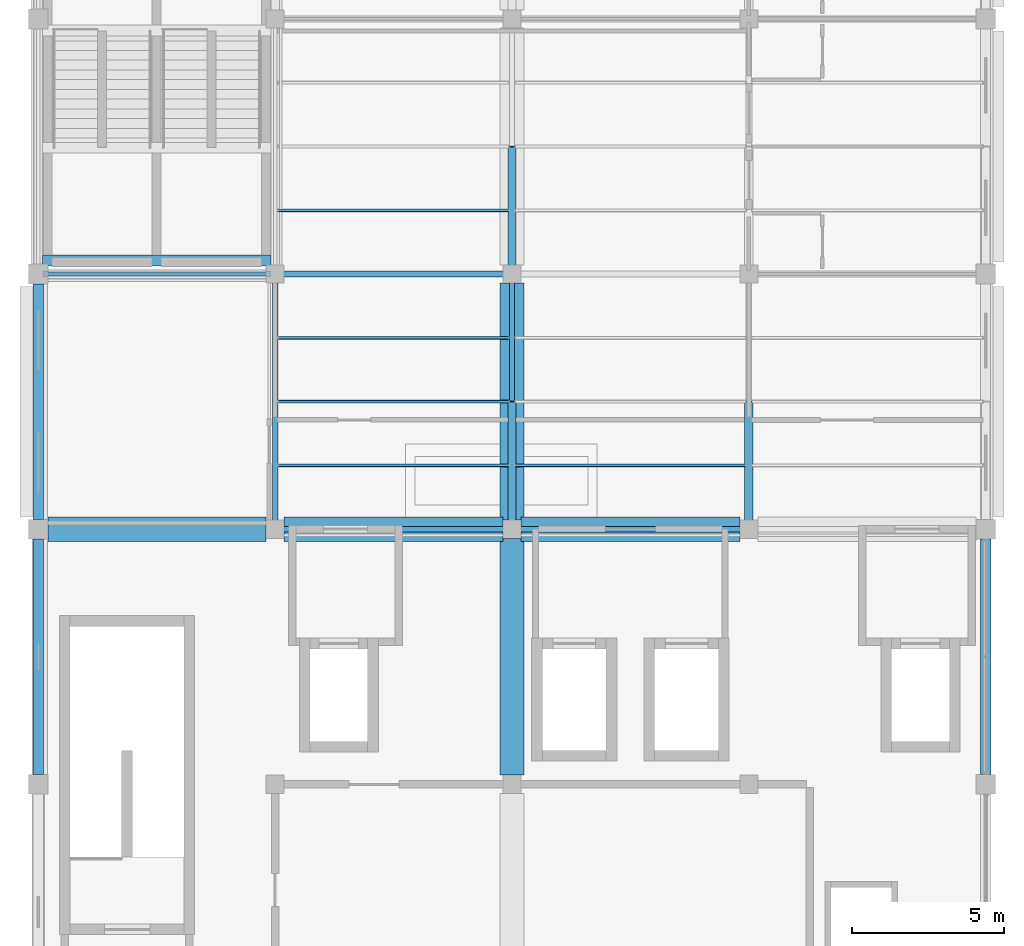
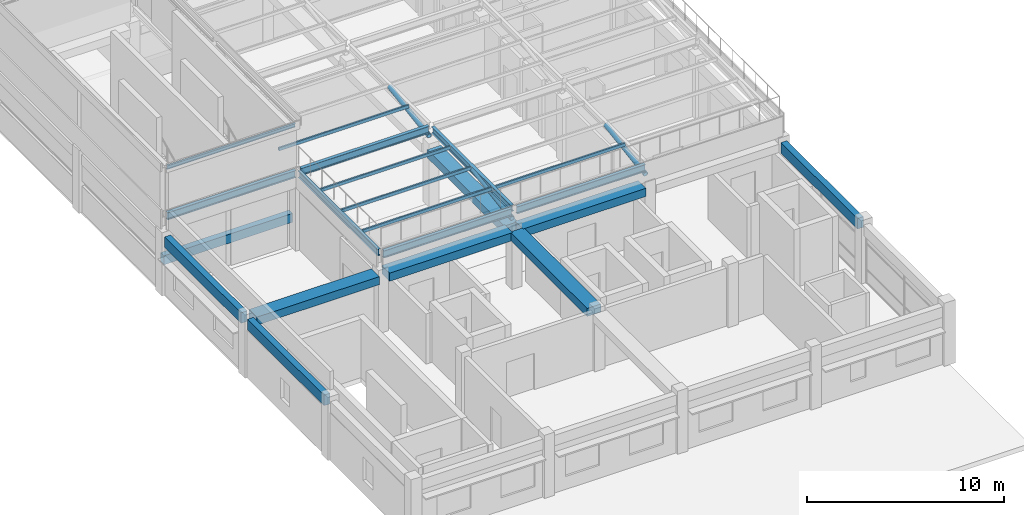
# One storey, part 2 of 20: 16 beams, 8 members.
"""IFC4 building model written with IfcOpenShell, lengths in metres."""

import ifcopenshell
import ifcopenshell.guid

model = None  # the IFC model being written
_history = None  # IfcOwnerHistory: only IFC2X3 demands one
_inside = {}  # id of a spatial element -> (the spatial element, [elements in it])
_under = {}  # id of a project, library or spatial element -> (it, [spatial elements below it])
_declared = {}  # id of a project -> (the project, [libraries it declares])
_typed = {}  # id of a type object -> (the type object, [elements of that type])
_made_of = {}  # id of a material, layer set ... -> (it, [elements and type objects made of it])


def new_model(schema):
    """Start an empty IFC model of exactly this schema.

    Asked for "IFC4X3", IfcOpenShell would pick the latest addendum, in which some entities
    have other attributes; the version numbers below select the first issue.
    IFC2X3 requires an IfcOwnerHistory on every rooted entity: one is made here for all.
    """
    global model, _history
    if schema == "IFC4X3":
        model = ifcopenshell.file(schema_version=(4, 3, 0, 0))
    else:
        model = ifcopenshell.file(schema=schema)
    _inside.clear()
    _under.clear()
    _declared.clear()
    _typed.clear()
    _made_of.clear()
    _history = None
    if model.schema == "IFC2X3":
        org = make("IfcOrganization", Name="unknown")
        user = make(
            "IfcPersonAndOrganization",
            ThePerson=make("IfcPerson", FamilyName="unknown"),
            TheOrganization=org,
        )
        app = make(
            "IfcApplication",
            ApplicationDeveloper=org,
            Version="unknown",
            ApplicationFullName="unknown",
            ApplicationIdentifier="unknown",
        )
        _history = make(
            "IfcOwnerHistory",
            OwningUser=user,
            OwningApplication=app,
            ChangeAction="ADDED",
            CreationDate=0,
        )
    return model


def make(cls, **values):
    """One entity of the class cls with the attributes given. An attribute that is None is left unset."""
    return model.create_entity(
        cls, **{name: value for name, value in values.items() if value is not None}
    )


def rooted(cls, **values):
    """An entity with a GlobalId (a new one), such as an element, a storey or a relation."""
    return make(cls, GlobalId=ifcopenshell.guid.new(), OwnerHistory=_history, **values)


def si_unit(unit_type, name, prefix=None):
    """IfcSIUnit, for example si_unit("LENGTHUNIT", "METRE", prefix="MILLI")."""
    return make("IfcSIUnit", UnitType=unit_type, Prefix=prefix, Name=name)


def assignment(units):
    """IfcUnitAssignment: the units of a project."""
    return None if units is None else make("IfcUnitAssignment", Units=units)


def point(xyz):
    """IfcCartesianPoint."""
    return None if xyz is None else make("IfcCartesianPoint", Coordinates=xyz)


def direction(xyz):
    """IfcDirection."""
    return None if xyz is None else make("IfcDirection", DirectionRatios=xyz)


def frame(location, z_axis=None, x_axis=None):
    """IfcAxis2Placement3D, a coordinate frame: its origin and axes. An axis left out is left unset."""
    return make(
        "IfcAxis2Placement3D",
        Location=point(location),
        Axis=direction(z_axis),
        RefDirection=direction(x_axis),
    )


def frame_2d(location, x_axis=None):
    """IfcAxis2Placement2D, a coordinate frame in the plane: its origin and x axis."""
    return make(
        "IfcAxis2Placement2D", Location=point(location), RefDirection=direction(x_axis)
    )


def origin():
    """The frame at (0, 0, 0) with its axes left unset."""
    return frame((0.0, 0.0, 0.0))


def origin_2d():
    """The frame at (0, 0) in the plane with its x axis left unset."""
    return frame_2d((0.0, 0.0))


def place(relative_to, where):
    """IfcLocalPlacement: puts the frame where relative to a parent placement (None: the world)."""
    return make(
        "IfcLocalPlacement", PlacementRelTo=relative_to, RelativePlacement=where
    )


def context(
    kind, dimensions, precision=None, world=None, true_north=None, identifier=None
):
    """IfcGeometricRepresentationContext, for example the 3D "Model" context."""
    return make(
        "IfcGeometricRepresentationContext",
        ContextIdentifier=identifier,
        ContextType=kind,
        CoordinateSpaceDimension=dimensions,
        Precision=precision,
        WorldCoordinateSystem=world,
        TrueNorth=true_north,
    )


def subcontext(parent, identifier, kind, view, scale=None):
    """IfcGeometricRepresentationSubContext, for example "Body" below "Model"."""
    return make(
        "IfcGeometricRepresentationSubContext",
        ContextIdentifier=identifier,
        ContextType=kind,
        ParentContext=parent,
        TargetScale=scale,
        TargetView=view,
    )


def project(units=None, contexts=None):
    """IfcProject with its units and contexts."""
    return rooted(
        "IfcProject",
        Name="project",
        RepresentationContexts=contexts,
        UnitsInContext=assignment(units),
    )


def spatial(cls, under=None, at=None, **own):
    """A site, building, storey or space (cls), placed at a placement, below another one or the project."""
    s = rooted(cls, ObjectPlacement=at, **own)
    if under is not None:
        _under.setdefault(under.id(), (under, []))[1].append(s)
    return s


def profile(cls, at=None, kind="AREA", **sizes):
    """A parametric profile (cls). Its sizes go by their IFC names, for example OverallWidth=200.0."""
    return make(cls, ProfileType=kind, Position=at, **sizes)


def rectangle(**sizes):
    """IfcRectangleProfileDef."""
    return profile("IfcRectangleProfileDef", **sizes)


def hollow_rectangle(**sizes):
    """IfcRectangleHollowProfileDef."""
    return profile("IfcRectangleHollowProfileDef", **sizes)


def hollow_circle(**sizes):
    """IfcCircleHollowProfileDef."""
    return profile("IfcCircleHollowProfileDef", **sizes)


def i_section(**sizes):
    """IfcIShapeProfileDef."""
    return profile("IfcIShapeProfileDef", **sizes)


def extrude(swept, where, along, depth):
    """IfcExtrudedAreaSolid: the profile swept, set in the frame where, extruded along a direction by depth."""
    return make(
        "IfcExtrudedAreaSolid",
        SweptArea=swept,
        Position=where,
        ExtrudedDirection=direction(along),
        Depth=depth,
    )


def shape(context_of_items, identifier, shape_type, items):
    """IfcShapeRepresentation: the items that make up one representation, for example the "Body"."""
    return make(
        "IfcShapeRepresentation",
        ContextOfItems=context_of_items,
        RepresentationIdentifier=identifier,
        RepresentationType=shape_type,
        Items=items,
    )


def material(Name=None, Category=None):
    """IfcMaterial."""
    return make("IfcMaterial", Name=Name, Category=Category)


def material_profile(
    of_material, cross_section, Name=None, Category=None, Priority=None
):
    """IfcMaterialProfile: a cross section and its material."""
    return make(
        "IfcMaterialProfile",
        Name=Name,
        Material=of_material,
        Profile=cross_section,
        Priority=Priority,
        Category=Category,
    )


def profile_set(profiles, Name=None, composite=None):
    """IfcMaterialProfileSet."""
    return make(
        "IfcMaterialProfileSet",
        Name=Name,
        MaterialProfiles=profiles,
        CompositeProfile=composite,
    )


def made_of(thing, what):
    """Note that an element or type object is made of a material, layer set ...; save() writes the relation."""
    if what is not None:
        _made_of.setdefault(what.id(), (what, []))[1].append(thing)
    return thing


def type_object(cls, material=None, **own):
    """A type object (cls), such as IfcWallType, which elements share."""
    return made_of(rooted(cls, **own), material)


def element(
    cls,
    number,
    at=None,
    inside=None,
    cuts=None,
    type_object=None,
    material=None,
    context=None,
    identifier="Body",
    shape_type=None,
    held_by="IfcProductDefinitionShape",
    body=None,
    shapes=None,
    **own,
):
    """One element of the class cls, such as IfcWall. Its Tag is "e" and its number.

    at: its placement. inside: the storey or other place that contains it. cuts: it is an
    opening in that element (IfcRelVoidsElement). A single representation is given by context,
    identifier, shape_type and body (its items); several are given by shapes. held_by: the class
    of the entity that holds the representations. save() writes the other relations.
    """
    e = rooted(cls, Tag="e%d" % number, ObjectPlacement=at, **own)
    if body is not None:
        shapes = [shape(context, identifier, shape_type, body)]
    if shapes is not None:
        e.Representation = make(held_by, Representations=shapes)
    if inside is not None:
        _inside.setdefault(inside.id(), (inside, []))[1].append(e)
    if cuts is not None:
        rooted(
            "IfcRelVoidsElement", RelatingBuildingElement=cuts, RelatedOpeningElement=e
        )
    if type_object is not None:
        _typed.setdefault(type_object.id(), (type_object, []))[1].append(e)
    return made_of(e, material)


def aggregate(whole, parts):
    """IfcRelAggregates: a whole, such as a stair, and the parts it consists of."""
    return rooted("IfcRelAggregates", RelatingObject=whole, RelatedObjects=parts)


def save(model, path):
    """Write the relations noted so far, then the file.

    IfcRelAggregates (storeys below a building ...), IfcRelContainedInSpatialStructure (elements
    in a storey), IfcRelDefinesByType, IfcRelAssociatesMaterial and IfcRelDeclares: one each for
    every whole, place, type object, material and project.
    """
    for whole, parts in _under.values():
        aggregate(whole, parts)
    for where, things in _inside.values():
        rooted(
            "IfcRelContainedInSpatialStructure",
            RelatedElements=things,
            RelatingStructure=where,
        )
    for kind, things in _typed.values():
        rooted("IfcRelDefinesByType", RelatedObjects=things, RelatingType=kind)
    for what, things in _made_of.values():
        rooted("IfcRelAssociatesMaterial", RelatedObjects=things, RelatingMaterial=what)
    for by, libraries in _declared.values():
        rooted("IfcRelDeclares", RelatingContext=by, RelatedDefinitions=libraries)
    model.write(path)


model = new_model("IFC4")

# Units and contexts
model_context = context("Model", 3, precision=1e-05, world=origin(), true_north=direction((0.0, 1.0)))
body_context = subcontext(model_context, "Body", "Model", "MODEL_VIEW")
ifc_project = project(units=[si_unit("LENGTHUNIT", "METRE"), si_unit("AREAUNIT", "SQUARE_METRE"), si_unit("VOLUMEUNIT", "CUBIC_METRE"), si_unit("PLANEANGLEUNIT", "RADIAN"), si_unit("MASSUNIT", "GRAM", prefix="KILO"), si_unit("THERMODYNAMICTEMPERATUREUNIT", "KELVIN"), si_unit("POWERUNIT", "WATT")], contexts=[model_context])

# Site, building, storey
site_placement = place(None, origin())
site = spatial("IfcSite", under=ifc_project, at=site_placement, CompositionType="ELEMENT")
building_placement = place(site_placement, origin())
building = spatial("IfcBuilding", under=site, at=building_placement, Name="Srebrne Nadtorze General Hospital", CompositionType="ELEMENT")
storey_placement = place(building_placement, frame((0.0, 0.0, 33.89990234375)))
storey = spatial("IfcBuildingStorey", under=building, at=storey_placement, Name="L08", CompositionType="ELEMENT", Elevation=33.89990234375)

# Beams
ifc_material_1 = material(Name="Concrete C35/45", Category="concrete")
ifc_material_profile_1 = material_profile(ifc_material_1, rectangle(XDim=0.35009765625, YDim=0.64990234375, at=origin_2d()), Name="RC-BM-350x650")
ifc_profile_set_1 = profile_set([ifc_material_profile_1], Name="Concrete C35/45")
beam_type_1 = type_object("IfcBeamType", Name="Edge beam RC 350x650", PredefinedType="BEAM", material=ifc_profile_set_1)
for number, where, z_axis, x_axis, name in (
    (1, (23.39990234375, 42.324951171875, 3.275146484375), (0.0, 1.0, 0.0), (-1.0, 0.0, 0.0), "Beam BM-L08-Y-1353"),
    (2, (23.39990234375, 50.72509765625, 3.275146484375), (0.0, 1.0, 0.0), (-1.0, 0.0, 0.0), "Beam BM-L08-Y-1354"),
    (3, (54.60009765625, 42.324951171875, 3.275146484375), (0.0, 1.0, 0.0), (-1.0, 0.0, 0.0), "Beam BM-L08-Y-1367"),
):
    element("IfcBeam", number, at=place(storey_placement, frame(where, z_axis=z_axis, x_axis=x_axis)), inside=storey, type_object=beam_type_1, Name=name, PredefinedType="BEAM", context=body_context, shape_type="SweptSolid", body=[
        extrude(rectangle(XDim=0.35009765625, YDim=0.64990234375, at=origin_2d()), origin(), (0.0, 0.0, 1.0), 7.75),
    ])
ifc_material_2 = material(Name="Steel S355J2", Category="steel")
ifc_material_profile_2 = material_profile(ifc_material_2, i_section(OverallWidth=0.179931640625, OverallDepth=0.39990234375, WebThickness=0.008544921875, FlangeThickness=0.013427734375, FilletRadius=0.02099609375, at=origin_2d()), Name="IPE-400")
ifc_profile_set_2 = profile_set([ifc_material_profile_2], Name="Steel S355J2")
beam_type_2 = type_object("IfcBeamType", Name="Helipad beam IPE 400", PredefinedType="BEAM", material=ifc_profile_set_2)
for number, where, z_axis, x_axis, name in (
    (4, (31.199951171875, 50.580078125, 4.64013671875), (0.0, 1.0, 0.0), (-1.0, 0.0, 0.0), "Helipad girder Y 17"),
    (5, (39.0, 50.580078125, 4.64013671875), (0.0, 1.0, 0.0), (-1.0, 0.0, 0.0), "Helipad girder Y 20"),
):
    element("IfcBeam", number, at=place(storey_placement, frame(where, z_axis=z_axis, x_axis=x_axis)), inside=storey, type_object=beam_type_2, Name=name, PredefinedType="BEAM", context=body_context, shape_type="SweptSolid", body=[
        extrude(i_section(OverallWidth=0.179931640625, OverallDepth=0.39990234375, WebThickness=0.008544921875, FlangeThickness=0.013427734375, FilletRadius=0.02099609375, at=origin_2d()), origin(), (0.0, 0.0, 1.0), 8.0400390625),
    ])
ifc_material_3 = material(Name="Steel S355J2", Category="steel")
ifc_material_profile_3 = material_profile(ifc_material_3, i_section(OverallWidth=0.18994140625, OverallDepth=0.449951171875, WebThickness=0.009521484375, FlangeThickness=0.0146484375, FilletRadius=0.02099609375, at=origin_2d()), Name="IPE-450")
ifc_profile_set_3 = profile_set([ifc_material_profile_3], Name="Steel S355J2")
beam_type_3 = type_object("IfcBeamType", Name="Helipad beam IPE 450", PredefinedType="BEAM", material=ifc_profile_set_3)
for number, where, z_axis, x_axis, name in (
    (6, (31.35009765625, 50.39990234375, 4.614990234375), (1.0, 0.0, 0.0), (0.0, 1.0, 0.0), "Helipad girder X 1"),
    (7, (39.14990234375, 50.39990234375, 4.614990234375), (1.0, 0.0, 0.0), (0.0, 1.0, 0.0), "Helipad girder X 2"),
    (8, (23.550048828125, 58.800048828125, 4.614990234375), (1.0, 0.0, 0.0), (0.0, 1.0, 0.0), "Helipad girder X 4"),
    (9, (31.35009765625, 58.800048828125, 4.614990234375), (1.0, 0.0, 0.0), (0.0, 1.0, 0.0), "Helipad girder X 5"),
):
    element("IfcBeam", number, at=place(storey_placement, frame(where, z_axis=z_axis, x_axis=x_axis)), inside=storey, type_object=beam_type_3, Name=name, PredefinedType="BEAM", context=body_context, shape_type="SweptSolid", body=[
        extrude(i_section(OverallWidth=0.18994140625, OverallDepth=0.449951171875, WebThickness=0.009521484375, FlangeThickness=0.0146484375, FilletRadius=0.02099609375, at=origin_2d()), origin(), (0.0, 0.0, 1.0), 7.5),
    ])

# Members
ifc_material_4 = material(Name="Steel S355J2", Category="steel")
ifc_material_profile_4 = material_profile(ifc_material_4, hollow_circle(Radius=0.136474609375, WallThickness=0.010009765625, at=origin_2d()), Name="CHS-273x10")
ifc_profile_set_4 = profile_set([ifc_material_profile_4], Name="Steel S355J2")
member_type_1 = type_object("IfcMemberType", Name="Outrigger strut CHS 273x10", PredefinedType="STRUT", material=ifc_profile_set_4)
member_1_placement = place(storey_placement, frame((39.0, 50.574951171875, 4.02001953125), z_axis=(0.0, 0.988339796806, 0.152264395214), x_axis=(-1.0, 0.0, 0.0)))
element("IfcMember", 10, at=member_1_placement, inside=storey, type_object=member_type_1, Name="Helipad support strut 20", PredefinedType="STRUT", context=body_context, shape_type="SweptSolid", body=[
    extrude(hollow_circle(Radius=0.136474609375, WallThickness=0.010009765625, at=origin_2d()), origin(), (0.0, 0.0, 1.0), 4.07275390625),
])
member_2_placement = place(storey_placement, frame((39.0, 58.97509765625, 4.02001953125), z_axis=(0.0, 0.988338406853, 0.152273417045), x_axis=(-1.0, 0.0, 0.0)))
element("IfcMember", 11, at=member_2_placement, inside=storey, type_object=member_type_1, Name="Helipad support strut 21", PredefinedType="STRUT", context=body_context, shape_type="SweptSolid", body=[
    extrude(hollow_circle(Radius=0.136474609375, WallThickness=0.010009765625, at=origin_2d()), origin(), (0.0, 0.0, 1.0), 4.072509765625),
])
member_3_placement = place(storey_placement, frame((46.800048828125, 50.574951171875, 4.02001953125), z_axis=(0.0, 0.988339796806, 0.152264395214), x_axis=(-1.0, 0.0, 0.0)))
element("IfcMember", 12, at=member_3_placement, inside=storey, type_object=member_type_1, Name="Helipad support strut 23", PredefinedType="STRUT", context=body_context, shape_type="SweptSolid", body=[
    extrude(hollow_circle(Radius=0.136474609375, WallThickness=0.010009765625, at=origin_2d()), origin(), (0.0, 0.0, 1.0), 4.07275390625),
])

# Beams
ifc_material_5 = material(Name="Concrete C40/50", Category="concrete")
ifc_material_profile_5 = material_profile(ifc_material_5, rectangle(XDim=0.800048828125, YDim=0.5, at=origin_2d()), Name="RC-BM-800x500")
ifc_profile_set_5 = profile_set([ifc_material_profile_5], Name="Concrete C40/50")
beam_type_4 = type_object("IfcBeamType", Name="Primary beam RC 800x500", PredefinedType="BEAM", material=ifc_profile_set_5)
beam_1_placement = place(storey_placement, frame((23.72509765625, 50.39990234375, 3.35009765625), z_axis=(1.0, 0.0, 0.0), x_axis=(0.0, 1.0, 0.0)))
element("IfcBeam", 13, at=beam_1_placement, inside=storey, type_object=beam_type_4, Name="Beam BM-L08-X-1340", PredefinedType="BEAM", context=body_context, shape_type="SweptSolid", body=[
    extrude(rectangle(XDim=0.800048828125, YDim=0.5, at=origin_2d()), origin(), (0.0, 0.0, 1.0), 7.1748046875),
])
for number, where, z_axis, x_axis, name in (
    (14, (31.5, 50.39990234375, 3.35009765625), (1.0, 0.0, 0.0), (0.0, 1.0, 0.0), "Beam BM-L08-X-1341"),
    (15, (39.300048828125, 50.39990234375, 3.35009765625), (1.0, 0.0, 0.0), (0.0, 1.0, 0.0), "Beam BM-L08-X-1342"),
):
    element("IfcBeam", number, at=place(storey_placement, frame(where, z_axis=z_axis, x_axis=x_axis)), inside=storey, type_object=beam_type_4, Name=name, PredefinedType="BEAM", context=body_context, shape_type="SweptSolid", body=[
        extrude(rectangle(XDim=0.800048828125, YDim=0.5, at=origin_2d()), origin(), (0.0, 0.0, 1.0), 7.199951171875),
    ])
for number, where, z_axis, x_axis, name in (
    (16, (39.0, 42.300048828125, 3.35009765625), (0.0, 1.0, 0.0), (-1.0, 0.0, 0.0), "Beam BM-L08-Y-1360"),
    (17, (39.0, 50.699951171875, 3.35009765625), (0.0, 1.0, 0.0), (-1.0, 0.0, 0.0), "Beam BM-L08-Y-1361"),
):
    element("IfcBeam", number, at=place(storey_placement, frame(where, z_axis=z_axis, x_axis=x_axis)), inside=storey, type_object=beam_type_4, Name=name, PredefinedType="BEAM", context=body_context, shape_type="SweptSolid", body=[
        extrude(rectangle(XDim=0.800048828125, YDim=0.5, at=origin_2d()), origin(), (0.0, 0.0, 1.0), 7.800048828125),
    ])
ifc_material_6 = material(Name="Steel S355J2", Category="steel")
ifc_material_profile_6 = material_profile(ifc_material_6, i_section(OverallWidth=0.110107421875, OverallDepth=0.219970703125, WebThickness=0.005859375, FlangeThickness=0.00927734375, FilletRadius=0.011962890625, at=origin_2d()), Name="IPE-220")
ifc_profile_set_6 = profile_set([ifc_material_profile_6], Name="Steel S355J2")
beam_type_5 = type_object("IfcBeamType", Name="Secondary joist IPE 220", PredefinedType="JOIST", material=ifc_profile_set_6)
beam_2_placement = place(storey_placement, frame((23.550048828125, 58.800048828125, 7.60009765625), z_axis=(1.0, 0.0, 0.0), x_axis=(0.0, 1.0, 0.0)))
element("IfcBeam", 18, at=beam_2_placement, inside=storey, type_object=beam_type_5, Name="Vestibule roof beam X 7", PredefinedType="JOIST", context=body_context, shape_type="SweptSolid", body=[
    extrude(i_section(OverallWidth=0.110107421875, OverallDepth=0.219970703125, WebThickness=0.005859375, FlangeThickness=0.00927734375, FilletRadius=0.011962890625, at=origin_2d()), origin(), (0.0, 0.0, 1.0), 7.5),
])

# Members
ifc_material_7 = material(Name="Steel S355J2", Category="steel")
ifc_material_profile_7 = material_profile(ifc_material_7, hollow_rectangle(XDim=0.10009765625, YDim=0.199951171875, WallThickness=0.008056640625, InnerFilletRadius=0.008056640625, OuterFilletRadius=0.011962890625, at=origin_2d()), Name="RHS-200x100x8")
ifc_profile_set_7 = profile_set([ifc_material_profile_7], Name="Steel S355J2")
member_type_2 = type_object("IfcMemberType", Name="Secondary purlin RHS 200x100x8", PredefinedType="PURLIN", material=ifc_profile_set_7)
for number, where, z_axis, x_axis, name in (
    (19, (31.302001953125, 52.5, 4.739990234375), (1.0, 0.0, 0.0), (0.0, 1.0, 0.0), "Helipad deck purlin 1"),
    (20, (31.302001953125, 54.60009765625, 4.739990234375), (1.0, 0.0, 0.0), (0.0, 1.0, 0.0), "Helipad deck purlin 2"),
    (21, (31.302001953125, 56.699951171875, 4.739990234375), (1.0, 0.0, 0.0), (0.0, 1.0, 0.0), "Helipad deck purlin 3"),
    (22, (31.302001953125, 60.89990234375, 4.739990234375), (1.0, 0.0, 0.0), (0.0, 1.0, 0.0), "Helipad deck purlin 4"),
    (23, (39.10205078125, 52.5, 4.739990234375), (1.0, 0.0, 0.0), (0.0, 1.0, 0.0), "Helipad deck purlin 10"),
):
    element("IfcMember", number, at=place(storey_placement, frame(where, z_axis=z_axis, x_axis=x_axis)), inside=storey, type_object=member_type_2, Name=name, PredefinedType="PURLIN", context=body_context, shape_type="SweptSolid", body=[
        extrude(hollow_rectangle(XDim=0.10009765625, YDim=0.199951171875, WallThickness=0.008056640625, InnerFilletRadius=0.008056640625, OuterFilletRadius=0.011962890625, at=origin_2d()), origin(), (0.0, 0.0, 1.0), 7.595947265625),
    ])

# Beam
ifc_material_8 = material(Name="Concrete C35/45", Category="concrete")
ifc_material_profile_8 = material_profile(ifc_material_8, rectangle(XDim=0.35009765625, YDim=0.550048828125, at=origin_2d()), Name="RC-BM-350x550")
ifc_profile_set_8 = profile_set([ifc_material_profile_8], Name="Concrete C35/45")
beam_type_6 = type_object("IfcBeamType", Name="Spandrel lintel beam RC 350x550", PredefinedType="LINTEL", material=ifc_profile_set_8)
beam_3_placement = place(storey_placement, frame((23.5400390625, 59.25, 1.675048828125), z_axis=(1.0, 0.0, 0.0), x_axis=(0.0, 1.0, 0.0)))
element("IfcBeam", 24, at=beam_3_placement, inside=storey, type_object=beam_type_6, Name="Helipad stair landing trimmer 1", PredefinedType="LINTEL", context=body_context, shape_type="SweptSolid", body=[
    extrude(rectangle(XDim=0.35009765625, YDim=0.550048828125, at=origin_2d()), origin(), (0.0, 0.0, 1.0), 7.52001953125),
])

save(model, "model.ifc")
